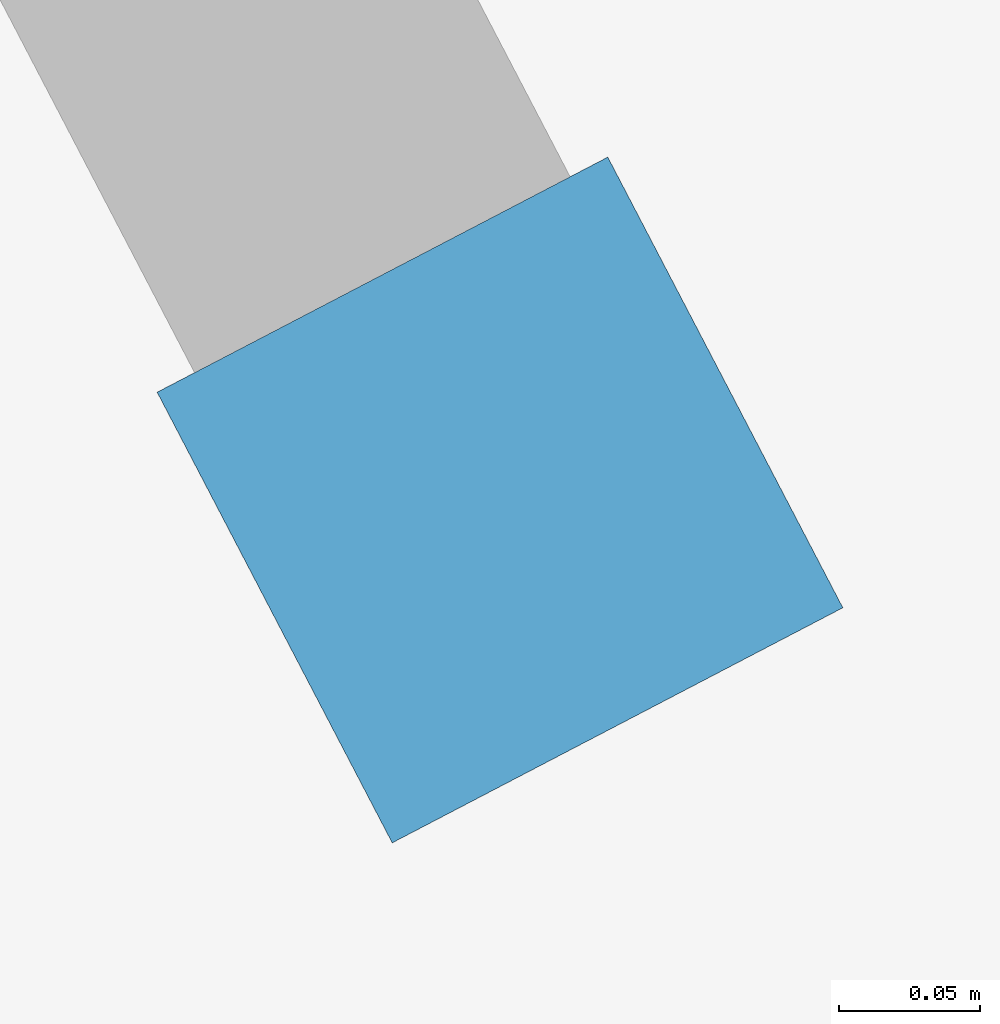
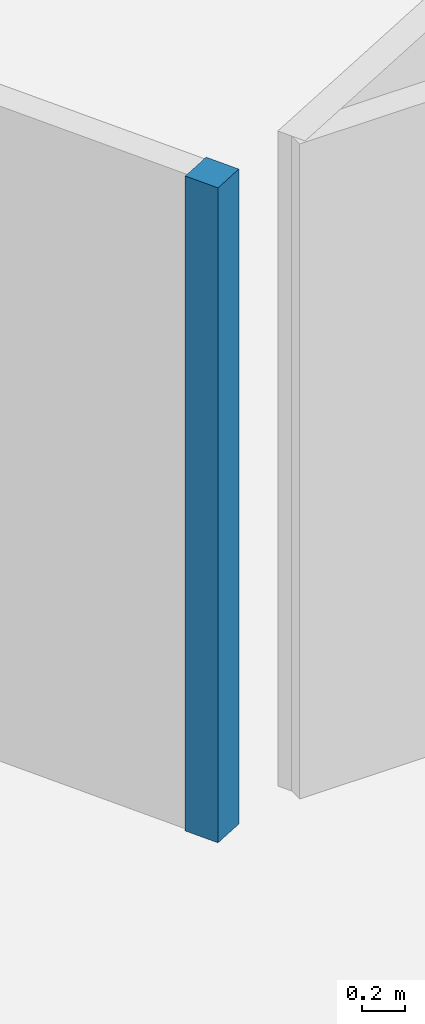
# One storey, part 3 of 16: 1 plate.
"""IFC4 building model written with IfcOpenShell, lengths in metres."""

from ifc_helpers import new_model, si_unit, direction, frame, origin, origin_2d, place, context, subcontext, project, spatial, rectangle, extrude, material, layer, layer_set, type_object, element, save


model = new_model("IFC4")

# Units and contexts
model_context = context("Model", 3, precision=1e-05, world=origin(), true_north=direction((0.0, 1.0)))
body_context = subcontext(model_context, "Body", "Model", "MODEL_VIEW")
ifc_project = project(units=[si_unit("LENGTHUNIT", "METRE"), si_unit("AREAUNIT", "SQUARE_METRE"), si_unit("VOLUMEUNIT", "CUBIC_METRE"), si_unit("PLANEANGLEUNIT", "RADIAN"), si_unit("MASSUNIT", "GRAM", prefix="KILO")], contexts=[model_context])

# Site, building, storey
site_placement = place(None, origin())
site = spatial("IfcSite", under=ifc_project, at=site_placement, CompositionType="ELEMENT")
building_placement = place(site_placement, origin())
building = spatial("IfcBuilding", under=site, at=building_placement, Name="Gaonmaruhae Medical Tower", CompositionType="ELEMENT")
storey_placement = place(building_placement, frame((0.0, 0.0, 140.39990234375)))
storey = spatial("IfcBuildingStorey", under=building, at=storey_placement, Name="L33", CompositionType="ELEMENT", Elevation=140.39990234375)

# Plate
ifc_material = material(Name="Anodised aluminium 6063-T6", Category="aluminium")
ifc_layer = layer(ifc_material, 0.011962890625)
ifc_layer_set = layer_set([ifc_layer], Name="Anodised aluminium 6063-T6")
plate_type = type_object("IfcPlateType", Name="PP-01 Interior Partition Corner Stiffener Plate", PredefinedType="SHEET", material=ifc_layer_set)
plate_placement = place(storey_placement, frame((20.612060546875, 20.509033203125, 0.0), z_axis=(0.0, 0.0, 1.0), x_axis=(-0.46249155157, 0.886623688341, 0.0)))
element("IfcPlate", 1, at=plate_placement, inside=storey, type_object=plate_type, Name="L33 Partition End Jamb Post Plate PLT-L33-ENDP-PW086-0", PredefinedType="SHEET", context=body_context, shape_type="SweptSolid", body=[
    extrude(rectangle(XDim=0.179931640625, YDim=0.179931640625, at=origin_2d()), origin(), (0.0, 0.0, 1.0), 3.699951171875),
])

save(model, "model.ifc")
